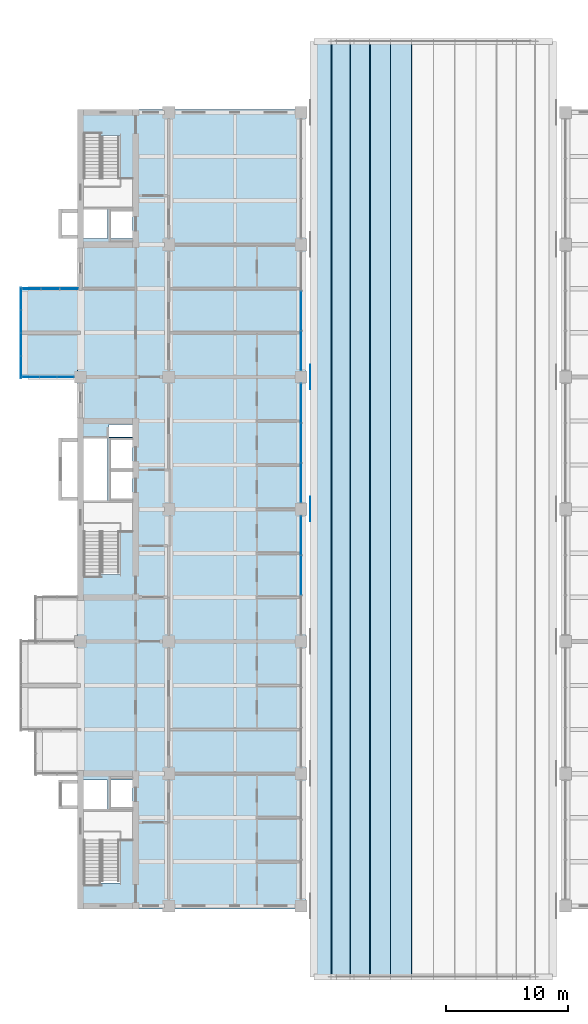
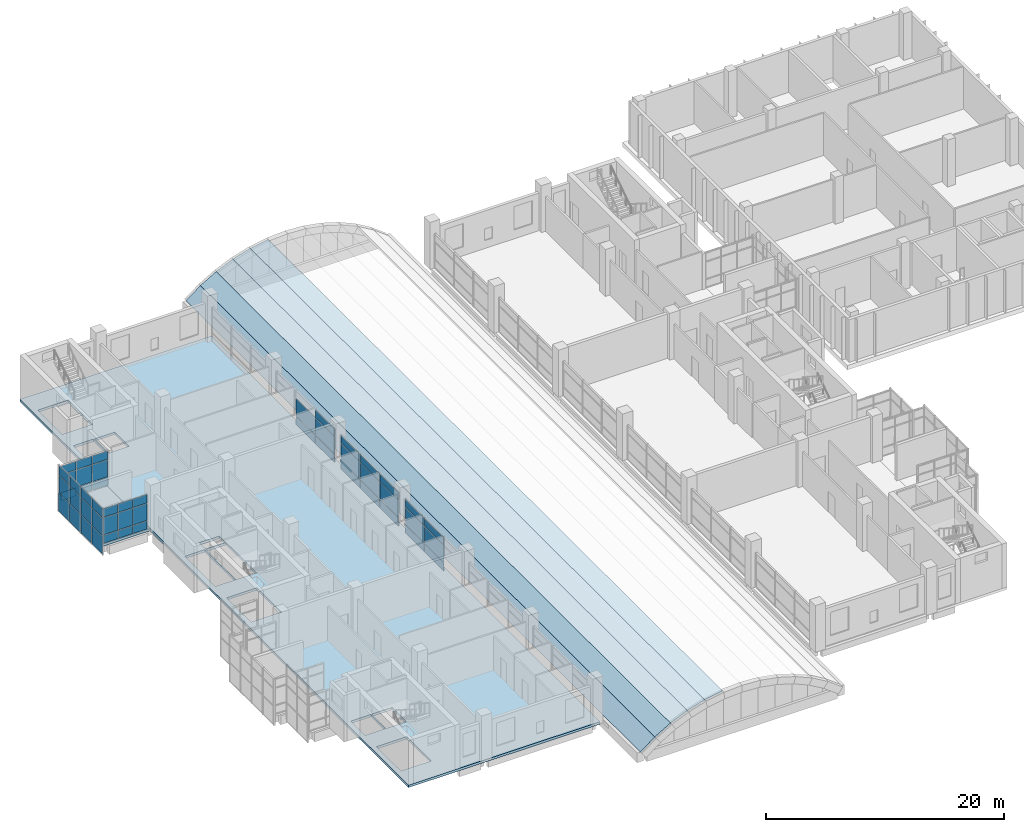
# One storey, part 26 of 45: 52 plates, 7 slabs, 6 elements without a shape of their own.
"""IFC4 building model written with IfcOpenShell, lengths in metres."""

from ifc_helpers import new_model, si_unit, direction, frame, origin, origin_2d, place, context, subcontext, project, spatial, polyline, rectangle, outline, extrude, material, layer, layer_set, type_object, element, aggregate, save


model = new_model("IFC4")

# Units and contexts
model_context = context("Model", 3, precision=1e-05, world=origin(), true_north=direction((0.0, 1.0)))
body_context = subcontext(model_context, "Body", "Model", "MODEL_VIEW")
ifc_project = project(units=[si_unit("LENGTHUNIT", "METRE"), si_unit("AREAUNIT", "SQUARE_METRE"), si_unit("VOLUMEUNIT", "CUBIC_METRE"), si_unit("PLANEANGLEUNIT", "RADIAN"), si_unit("MASSUNIT", "GRAM", prefix="KILO")], contexts=[model_context])

# Site, building, storey
site_placement = place(None, origin())
site = spatial("IfcSite", under=ifc_project, at=site_placement, CompositionType="ELEMENT")
building_placement = place(site_placement, origin())
building = spatial("IfcBuilding", under=site, at=building_placement, Name="Basin Gate Institute", CompositionType="ELEMENT")
storey_placement = place(building_placement, frame((0.0, 0.0, 22.199951171875)))
storey = spatial("IfcBuildingStorey", under=building, at=storey_placement, Name="L04", CompositionType="ELEMENT", Elevation=22.199951171875)

# Slabs
ifc_material_1 = material(Name="Concrete 40 MPa", Category="concrete")
ifc_layer_1 = layer(ifc_material_1, 0.14990234375)
ifc_layer_set_1 = layer_set([ifc_layer_1], Name="Concrete 40 MPa")
slab_type_1 = type_object("IfcSlabType", Name="Barrel shell strip SH1 R120", PredefinedType="ROOF", material=ifc_layer_set_1)
slab_1_placement = place(storey_placement, frame((80.25, 29.300048828125, 0.0), z_axis=(-0.604123513063, 0.0, 0.796890695745), x_axis=(0.796890695745, 0.0, 0.604123513063)))
element("IfcSlab", 1, at=slab_1_placement, inside=storey, type_object=slab_type_1, material=ifc_layer_set_1, Name="Atrium shell strip 1", PredefinedType="ROOF", context=body_context, shape_type="SweptSolid", body=[
    extrude(outline(polyline([(0.0, 0.0), (1.7680411559553462, 0.0), (1.7680411559553462, 76.39990234375), (0.0, 76.39990234375), (0.0, 0.0)])), origin(), (0.0, 0.0, -1.0), 0.14990234375),
])
slab_2_placement = place(storey_placement, frame((81.658935546875, 29.300048828125, 1.068115234375), z_axis=(-0.505715955593, 0.0, 0.862700047675), x_axis=(0.862700047675, 0.0, 0.505715955593)))
element("IfcSlab", 2, at=slab_2_placement, inside=storey, type_object=slab_type_1, material=ifc_layer_set_1, Name="Atrium shell strip 2", PredefinedType="ROOF", context=body_context, shape_type="SweptSolid", body=[
    extrude(outline(polyline([(0.0, 0.0), (1.767875739064467, 0.0), (1.767875739064467, 76.39990234375), (0.0, 76.39990234375), (0.0, 0.0)])), origin(), (0.0, 0.0, -1.0), 0.14990234375),
])
slab_3_placement = place(storey_placement, frame((83.18408203125, 29.300048828125, 1.962158203125), z_axis=(-0.401159401396, 0.0, 0.916008261246), x_axis=(0.916008261246, 0.0, 0.401159401396)))
element("IfcSlab", 3, at=slab_3_placement, inside=storey, type_object=slab_type_1, material=ifc_layer_set_1, Name="Atrium shell strip 3", PredefinedType="ROOF", context=body_context, shape_type="SweptSolid", body=[
    extrude(outline(polyline([(0.0, 0.0), (1.7673383012643265, 0.0), (1.7673383012643265, 76.39990234375001), (0.0, 76.39990234375001), (0.0, 0.0)])), origin(), (0.0, 0.0, -1.0), 0.14990234375),
])
slab_4_placement = place(storey_placement, frame((84.802978515625, 29.300048828125, 2.671142578125), z_axis=(-0.290601233715, 0.0, 0.956844252198), x_axis=(0.956844252198, 0.0, 0.290601233715)))
element("IfcSlab", 4, at=slab_4_placement, inside=storey, type_object=slab_type_1, material=ifc_layer_set_1, Name="Atrium shell strip 4", PredefinedType="ROOF", context=body_context, shape_type="SweptSolid", body=[
    extrude(outline(polyline([(0.0, 0.0), (1.768457790271163, 0.0), (1.768457790271163, 76.39990234375), (0.0, 76.39990234375), (0.0, 0.0)])), origin(), (0.0, 0.0, -1.0), 0.14990234375),
])
slab_5_placement = place(storey_placement, frame((86.4951171875, 29.300048828125, 3.18505859375), z_axis=(-0.175967513844, 0.0, 0.984395974226), x_axis=(0.984395974226, 0.0, 0.175967513844)))
element("IfcSlab", 5, at=slab_5_placement, inside=storey, type_object=slab_type_1, material=ifc_layer_set_1, Name="Atrium shell strip 5", PredefinedType="ROOF", context=body_context, shape_type="SweptSolid", body=[
    extrude(outline(polyline([(0.0, 0.0), (1.767571465073995, 0.0), (1.767571465073995, 76.39990234375), (0.0, 76.39990234375), (0.0, 0.0)])), origin(), (0.0, 0.0, -1.0), 0.14990234375),
])

# Plates
ifc_material_2 = material(Name="Stainless steel", Category="steel")
ifc_layer_2 = layer(ifc_material_2, 0.0029296875)
ifc_layer_set_2 = layer_set([ifc_layer_2], Name="Stainless steel")
plate_type_1 = type_object("IfcPlateType", Name="Shell joint cover JC1", PredefinedType="SHEET", material=ifc_layer_set_2)
for number, where, z_axis, x_axis, name in (
    (6, (79.948486328125, 67.5, -0.39990234375), (0.0, 0.0, 1.0), (1.0, 0.0, 0.0), "Atrium shell joint cover 4W"),
    (7, (79.948486328125, 78.300048828125, -0.39990234375), (0.0, 0.0, 1.0), (1.0, 0.0, 0.0), "Atrium shell joint cover 5W"),
):
    element("IfcPlate", number, at=place(storey_placement, frame(where, z_axis=z_axis, x_axis=x_axis)), inside=storey, type_object=plate_type_1, material=ifc_layer_set_2, Name=name, PredefinedType="SHEET", context=body_context, shape_type="SweptSolid", body=[
        extrude(rectangle(XDim=0.0029296875, YDim=2.0, at=origin_2d()), origin(), (0.0, 0.0, 1.0), 0.300048828125),
    ])

# Slabs
ifc_material_3 = material(Name="Concrete 40 MPa", Category="concrete")
ifc_layer_3 = layer(ifc_material_3, 0.25)
ifc_layer_set_3 = layer_set([ifc_layer_3], Name="Concrete 40 MPa")
slab_type_2 = type_object("IfcSlabType", Name="Slab SL4 R120", PredefinedType="FLOOR", material=ifc_layer_set_3)
slab_6_placement = place(storey_placement, frame((0.0, 0.0, -0.25)))
element("IfcSlab", 8, at=slab_6_placement, inside=storey, type_object=slab_type_2, material=ifc_layer_set_3, Name="SLAB/L04/W", PredefinedType="FLOOR", context=body_context, shape_type="SweptSolid", body=[
    extrude(outline(polyline([(60.949951171875, 34.85009765625), (79.550048828125, 34.85009765625), (79.550048828125, 100.14990234375), (60.949951171875, 100.14990234375), (60.949951171875, 34.85009765625)]), holes=[polyline([(61.449951171875, 36.969970703125), (64.39990234375, 36.969970703125), (64.39990234375, 41.070068359375), (61.449951171875, 41.070068359375), (61.449951171875, 36.969970703125)]), polyline([(61.449951171875, 62.169921875), (64.39990234375, 62.169921875), (64.39990234375, 66.27001953125), (61.449951171875, 66.27001953125), (61.449951171875, 62.169921875)]), polyline([(61.449951171875, 93.929931640625), (64.39990234375, 93.929931640625), (64.39990234375, 98.030029296875), (61.449951171875, 98.030029296875), (61.449951171875, 93.929931640625)]), polyline([(61.449951171875, 43.0), (63.39990234375, 43.0), (63.39990234375, 45.39990234375), (61.449951171875, 45.39990234375), (61.449951171875, 43.0)]), polyline([(61.449951171875, 68.199951171875), (63.39990234375, 68.199951171875), (63.39990234375, 73.300048828125), (61.449951171875, 73.300048828125), (61.449951171875, 68.199951171875)]), polyline([(63.5, 73.39990234375), (65.449951171875, 73.39990234375), (65.449951171875, 74.39990234375), (63.5, 74.39990234375), (63.5, 73.39990234375)]), polyline([(61.449951171875, 89.60009765625), (63.39990234375, 89.60009765625), (63.39990234375, 92.0), (61.449951171875, 92.0), (61.449951171875, 89.60009765625)]), polyline([(63.5, 43.0), (65.449951171875, 43.0), (65.449951171875, 45.39990234375), (63.5, 45.39990234375), (63.5, 43.0)]), polyline([(65.449951171875, 68.199951171875), (63.5, 68.199951171875), (63.5, 73.300048828125), (65.449951171875, 73.300048828125), (65.449951171875, 68.199951171875)]), polyline([(63.5, 89.60009765625), (65.449951171875, 89.60009765625), (65.449951171875, 92.0), (63.5, 92.0), (63.5, 89.60009765625)])]), origin(), (0.0, 0.0, 1.0), 0.25),
])
slab_7_placement = place(storey_placement, frame((0.0, 0.0, -0.25)))
element("IfcSlab", 9, at=slab_7_placement, inside=storey, type_object=slab_type_2, material=ifc_layer_set_3, Name="SLAB/L04/WK22", PredefinedType="FLOOR", context=body_context, shape_type="SweptSolid", body=[
    extrude(outline(polyline([(60.949951171875, 78.300048828125), (56.39990234375, 78.300048828125), (56.39990234375, 85.5), (60.949951171875, 85.5), (60.949951171875, 78.300048828125)])), origin(), (0.0, 0.0, 1.0), 0.25),
])

# Curtain wall, plates
ifc_material_4 = material(Name="Aluminium-framed glazing", Category="aluminium")
ifc_layer_4 = layer(ifc_material_4, 0.199951171875)
ifc_layer_set_4 = layer_set([ifc_layer_4], Name="Atrium curtain wall CW2")
curtain_wall_type_1 = type_object("IfcCurtainWallType", Name="Atrium curtain wall CW2", PredefinedType="NOTDEFINED", material=ifc_layer_set_4)
curtain_wall_1_placement = place(storey_placement, origin())
curtain_wall_1 = element("IfcCurtainWall", 10, at=curtain_wall_1_placement, inside=storey, type_object=curtain_wall_type_1, material=ifc_layer_set_4, Name="Atrium curtain wall W wing atrium bay 3 L04", PredefinedType="NOTDEFINED")
ifc_material_5 = material(Name="Aluminium insulated spandrel panel", Category="aluminium")
ifc_layer_5 = layer(ifc_material_5, 0.050048828125)
ifc_layer_set_5 = layer_set([ifc_layer_5], Name="Spandrel panel PN2")
plate_type_2 = type_object("IfcPlateType", Name="Spandrel panel PN2", PredefinedType="CURTAIN_PANEL", material=ifc_layer_set_5)
plate_1_placement = place(storey_placement, frame((79.199951171875, 62.10009765625, 0.06005859375), z_axis=(0.0, 0.0, 1.0), x_axis=(0.0, 1.0, 0.0)))
plate_1 = element("IfcPlate", 11, at=plate_1_placement, type_object=plate_type_2, material=ifc_layer_set_5, Name="CW2 spandrel panel 2.1", PredefinedType="CURTAIN_PANEL", context=body_context, shape_type="SweptSolid", body=[
    extrude(rectangle(XDim=3.206787109375, YDim=0.050048828125, at=origin_2d()), origin(), (0.0, 0.0, 1.0), 0.81005859375),
])
plate_2_placement = place(storey_placement, frame((79.199951171875, 62.10009765625, 2.72998046875), z_axis=(0.0, 0.0, 1.0), x_axis=(0.0, 1.0, 0.0)))
plate_2 = element("IfcPlate", 12, at=plate_2_placement, type_object=plate_type_2, material=ifc_layer_set_5, Name="CW2 spandrel panel 2.3", PredefinedType="CURTAIN_PANEL", context=body_context, shape_type="SweptSolid", body=[
    extrude(rectangle(XDim=3.206787109375, YDim=0.050048828125, at=origin_2d()), origin(), (0.0, 0.0, 1.0), 0.760009765625),
])
plate_3_placement = place(storey_placement, frame((79.199951171875, 65.3515625, 0.06005859375), z_axis=(0.0, 0.0, 1.0), x_axis=(0.0, 1.0, 0.0)))
plate_3 = element("IfcPlate", 13, at=plate_3_placement, type_object=plate_type_2, material=ifc_layer_set_5, Name="CW2 spandrel panel 3.1", PredefinedType="CURTAIN_PANEL", context=body_context, shape_type="SweptSolid", body=[
    extrude(rectangle(XDim=3.1767578125, YDim=0.050048828125, at=origin_2d()), origin(), (0.0, 0.0, 1.0), 0.81005859375),
])
plate_4_placement = place(storey_placement, frame((79.199951171875, 65.3515625, 2.72998046875), z_axis=(0.0, 0.0, 1.0), x_axis=(0.0, 1.0, 0.0)))
plate_4 = element("IfcPlate", 14, at=plate_4_placement, type_object=plate_type_2, material=ifc_layer_set_5, Name="CW2 spandrel panel 3.3", PredefinedType="CURTAIN_PANEL", context=body_context, shape_type="SweptSolid", body=[
    extrude(rectangle(XDim=3.1767578125, YDim=0.050048828125, at=origin_2d()), origin(), (0.0, 0.0, 1.0), 0.760009765625),
])

curtain_wall_2_placement = place(storey_placement, origin())
curtain_wall_2 = element("IfcCurtainWall", 15, at=curtain_wall_2_placement, inside=storey, type_object=curtain_wall_type_1, material=ifc_layer_set_4, Name="Atrium curtain wall W wing atrium bay 4 L04", PredefinedType="NOTDEFINED")
plate_5_placement = place(storey_placement, frame((79.199951171875, 69.6484375, 0.06005859375), z_axis=(0.0, 0.0, 1.0), x_axis=(0.0, 1.0, 0.0)))
plate_5 = element("IfcPlate", 16, at=plate_5_placement, type_object=plate_type_2, material=ifc_layer_set_5, Name="CW2 spandrel panel 1.1", PredefinedType="CURTAIN_PANEL", context=body_context, shape_type="SweptSolid", body=[
    extrude(rectangle(XDim=3.1767578125, YDim=0.050048828125, at=origin_2d()), origin(), (0.0, 0.0, 1.0), 0.81005859375),
])
plate_6_placement = place(storey_placement, frame((79.199951171875, 69.6484375, 2.72998046875), z_axis=(0.0, 0.0, 1.0), x_axis=(0.0, 1.0, 0.0)))
plate_6 = element("IfcPlate", 17, at=plate_6_placement, type_object=plate_type_2, material=ifc_layer_set_5, Name="CW2 spandrel panel 1.3", PredefinedType="CURTAIN_PANEL", context=body_context, shape_type="SweptSolid", body=[
    extrude(rectangle(XDim=3.1767578125, YDim=0.050048828125, at=origin_2d()), origin(), (0.0, 0.0, 1.0), 0.760009765625),
])
plate_7_placement = place(storey_placement, frame((79.199951171875, 72.89990234375, 0.06005859375), z_axis=(0.0, 0.0, 1.0), x_axis=(0.0, 1.0, 0.0)))
plate_7 = element("IfcPlate", 18, at=plate_7_placement, type_object=plate_type_2, material=ifc_layer_set_5, Name="CW2 spandrel panel 2.1", PredefinedType="CURTAIN_PANEL", context=body_context, shape_type="SweptSolid", body=[
    extrude(rectangle(XDim=3.206787109375, YDim=0.050048828125, at=origin_2d()), origin(), (0.0, 0.0, 1.0), 0.81005859375),
])
plate_8_placement = place(storey_placement, frame((79.199951171875, 72.89990234375, 2.72998046875), z_axis=(0.0, 0.0, 1.0), x_axis=(0.0, 1.0, 0.0)))
plate_8 = element("IfcPlate", 19, at=plate_8_placement, type_object=plate_type_2, material=ifc_layer_set_5, Name="CW2 spandrel panel 2.3", PredefinedType="CURTAIN_PANEL", context=body_context, shape_type="SweptSolid", body=[
    extrude(rectangle(XDim=3.206787109375, YDim=0.050048828125, at=origin_2d()), origin(), (0.0, 0.0, 1.0), 0.760009765625),
])
plate_9_placement = place(storey_placement, frame((79.199951171875, 76.151611328125, 0.06005859375), z_axis=(0.0, 0.0, 1.0), x_axis=(0.0, 1.0, 0.0)))
plate_9 = element("IfcPlate", 20, at=plate_9_placement, type_object=plate_type_2, material=ifc_layer_set_5, Name="CW2 spandrel panel 3.1", PredefinedType="CURTAIN_PANEL", context=body_context, shape_type="SweptSolid", body=[
    extrude(rectangle(XDim=3.1767578125, YDim=0.050048828125, at=origin_2d()), origin(), (0.0, 0.0, 1.0), 0.81005859375),
])
plate_10_placement = place(storey_placement, frame((79.199951171875, 76.151611328125, 2.72998046875), z_axis=(0.0, 0.0, 1.0), x_axis=(0.0, 1.0, 0.0)))
plate_10 = element("IfcPlate", 21, at=plate_10_placement, type_object=plate_type_2, material=ifc_layer_set_5, Name="CW2 spandrel panel 3.3", PredefinedType="CURTAIN_PANEL", context=body_context, shape_type="SweptSolid", body=[
    extrude(rectangle(XDim=3.1767578125, YDim=0.050048828125, at=origin_2d()), origin(), (0.0, 0.0, 1.0), 0.760009765625),
])

curtain_wall_3_placement = place(storey_placement, origin())
curtain_wall_3 = element("IfcCurtainWall", 22, at=curtain_wall_3_placement, inside=storey, type_object=curtain_wall_type_1, material=ifc_layer_set_4, Name="Atrium curtain wall W wing atrium bay 5 L04", PredefinedType="NOTDEFINED")
plate_11_placement = place(storey_placement, frame((79.199951171875, 80.4482421875, 0.06005859375), z_axis=(0.0, 0.0, 1.0), x_axis=(0.0, 1.0, 0.0)))
plate_11 = element("IfcPlate", 23, at=plate_11_placement, type_object=plate_type_2, material=ifc_layer_set_5, Name="CW2 spandrel panel 1.1", PredefinedType="CURTAIN_PANEL", context=body_context, shape_type="SweptSolid", body=[
    extrude(rectangle(XDim=3.1767578125, YDim=0.050048828125, at=origin_2d()), origin(), (0.0, 0.0, 1.0), 0.81005859375),
])
plate_12_placement = place(storey_placement, frame((79.199951171875, 80.4482421875, 2.72998046875), z_axis=(0.0, 0.0, 1.0), x_axis=(0.0, 1.0, 0.0)))
plate_12 = element("IfcPlate", 24, at=plate_12_placement, type_object=plate_type_2, material=ifc_layer_set_5, Name="CW2 spandrel panel 1.3", PredefinedType="CURTAIN_PANEL", context=body_context, shape_type="SweptSolid", body=[
    extrude(rectangle(XDim=3.1767578125, YDim=0.050048828125, at=origin_2d()), origin(), (0.0, 0.0, 1.0), 0.760009765625),
])
plate_13_placement = place(storey_placement, frame((79.199951171875, 83.699951171875, 0.06005859375), z_axis=(0.0, 0.0, 1.0), x_axis=(0.0, 1.0, 0.0)))
plate_13 = element("IfcPlate", 25, at=plate_13_placement, type_object=plate_type_2, material=ifc_layer_set_5, Name="CW2 spandrel panel 2.1", PredefinedType="CURTAIN_PANEL", context=body_context, shape_type="SweptSolid", body=[
    extrude(rectangle(XDim=3.206787109375, YDim=0.050048828125, at=origin_2d()), origin(), (0.0, 0.0, 1.0), 0.81005859375),
])

ifc_material_6 = material(Name="Aluminium-framed glazing", Category="aluminium")
ifc_layer_6 = layer(ifc_material_6, 0.14990234375)
ifc_layer_set_6 = layer_set([ifc_layer_6], Name="Capsule front curtain wall CW1")
curtain_wall_type_2 = type_object("IfcCurtainWallType", Name="Capsule front curtain wall CW1", PredefinedType="NOTDEFINED", material=ifc_layer_set_6)
curtain_wall_4_placement = place(storey_placement, origin())
curtain_wall_4 = element("IfcCurtainWall", 26, at=curtain_wall_4_placement, inside=storey, type_object=curtain_wall_type_2, material=ifc_layer_set_6, Name="Capsule front curtain wall W wing capsule end L04 line 13", PredefinedType="NOTDEFINED")
plate_14_placement = place(storey_placement, frame((57.129150390625, 78.300048828125, 0.06005859375), z_axis=(0.0, 0.0, 1.0), x_axis=(1.0, 0.0, 0.0)))
plate_14 = element("IfcPlate", 27, at=plate_14_placement, type_object=plate_type_2, material=ifc_layer_set_5, Name="CW1 spandrel panel 1.1", PredefinedType="CURTAIN_PANEL", context=body_context, shape_type="SweptSolid", body=[
    extrude(rectangle(XDim=1.3583984375, YDim=0.050048828125, at=origin_2d()), origin(), (0.0, 0.0, 1.0), 0.81005859375),
])
plate_15_placement = place(storey_placement, frame((58.550048828125, 78.300048828125, 0.06005859375), z_axis=(0.0, 0.0, 1.0), x_axis=(1.0, 0.0, 0.0)))
plate_15 = element("IfcPlate", 28, at=plate_15_placement, type_object=plate_type_2, material=ifc_layer_set_5, Name="CW1 spandrel panel 2.1", PredefinedType="CURTAIN_PANEL", context=body_context, shape_type="SweptSolid", body=[
    extrude(rectangle(XDim=1.38330078125, YDim=0.050048828125, at=origin_2d()), origin(), (0.0, 0.0, 1.0), 0.81005859375),
])
plate_16_placement = place(storey_placement, frame((59.970947265625, 78.300048828125, 0.06005859375), z_axis=(0.0, 0.0, 1.0), x_axis=(1.0, 0.0, 0.0)))
plate_16 = element("IfcPlate", 29, at=plate_16_placement, type_object=plate_type_2, material=ifc_layer_set_5, Name="CW1 spandrel panel 3.1", PredefinedType="CURTAIN_PANEL", context=body_context, shape_type="SweptSolid", body=[
    extrude(rectangle(XDim=1.3583984375, YDim=0.050048828125, at=origin_2d()), origin(), (0.0, 0.0, 1.0), 0.81005859375),
])

curtain_wall_5_placement = place(storey_placement, origin())
curtain_wall_5 = element("IfcCurtainWall", 30, at=curtain_wall_5_placement, inside=storey, type_object=curtain_wall_type_2, material=ifc_layer_set_6, Name="Capsule front curtain wall W wing capsule end L04 line 15", PredefinedType="NOTDEFINED")
plate_17_placement = place(storey_placement, frame((57.1875, 85.5, 0.06005859375), z_axis=(0.0, 0.0, 1.0), x_axis=(1.0, 0.0, 0.0)))
plate_17 = element("IfcPlate", 31, at=plate_17_placement, type_object=plate_type_2, material=ifc_layer_set_5, Name="CW1 spandrel panel 1.1", PredefinedType="CURTAIN_PANEL", context=body_context, shape_type="SweptSolid", body=[
    extrude(rectangle(XDim=1.47509765625, YDim=0.050048828125, at=origin_2d()), origin(), (0.0, 0.0, 1.0), 0.81005859375),
])
plate_18_placement = place(storey_placement, frame((58.72509765625, 85.5, 0.06005859375), z_axis=(0.0, 0.0, 1.0), x_axis=(1.0, 0.0, 0.0)))
plate_18 = element("IfcPlate", 32, at=plate_18_placement, type_object=plate_type_2, material=ifc_layer_set_5, Name="CW1 spandrel panel 2.1", PredefinedType="CURTAIN_PANEL", context=body_context, shape_type="SweptSolid", body=[
    extrude(rectangle(XDim=1.5, YDim=0.050048828125, at=origin_2d()), origin(), (0.0, 0.0, 1.0), 0.81005859375),
])
plate_19_placement = place(storey_placement, frame((60.262451171875, 85.5, 0.06005859375), z_axis=(0.0, 0.0, 1.0), x_axis=(1.0, 0.0, 0.0)))
plate_19 = element("IfcPlate", 33, at=plate_19_placement, type_object=plate_type_2, material=ifc_layer_set_5, Name="CW1 spandrel panel 3.1", PredefinedType="CURTAIN_PANEL", context=body_context, shape_type="SweptSolid", body=[
    extrude(rectangle(XDim=1.47509765625, YDim=0.050048828125, at=origin_2d()), origin(), (0.0, 0.0, 1.0), 0.81005859375),
])

curtain_wall_6_placement = place(storey_placement, origin())
curtain_wall_6 = element("IfcCurtainWall", 34, at=curtain_wall_6_placement, inside=storey, type_object=curtain_wall_type_2, material=ifc_layer_set_6, Name="Capsule front curtain wall W wing capsule 2 L04 front 2", PredefinedType="NOTDEFINED")
plate_20_placement = place(storey_placement, frame((56.324951171875, 79.10009765625, -0.990234375), z_axis=(0.0, 0.0, 1.0), x_axis=(0.0, 1.0, 0.0)))
plate_20 = element("IfcPlate", 35, at=plate_20_placement, type_object=plate_type_2, material=ifc_layer_set_5, Name="CW1 spandrel panel 1.1", PredefinedType="CURTAIN_PANEL", context=body_context, shape_type="SweptSolid", body=[
    extrude(rectangle(XDim=1.800048828125, YDim=0.050048828125, at=origin_2d()), origin(), (0.0, 0.0, 1.0), 1.860107421875),
])
plate_21_placement = place(storey_placement, frame((56.324951171875, 80.96240234375, -0.990234375), z_axis=(0.0, 0.0, 1.0), x_axis=(0.0, 1.0, 0.0)))
plate_21 = element("IfcPlate", 36, at=plate_21_placement, type_object=plate_type_2, material=ifc_layer_set_5, Name="CW1 spandrel panel 2.1", PredefinedType="CURTAIN_PANEL", context=body_context, shape_type="SweptSolid", body=[
    extrude(rectangle(XDim=1.824951171875, YDim=0.050048828125, at=origin_2d()), origin(), (0.0, 0.0, 1.0), 1.860107421875),
])
plate_22_placement = place(storey_placement, frame((56.324951171875, 82.83740234375, -0.990234375), z_axis=(0.0, 0.0, 1.0), x_axis=(0.0, 1.0, 0.0)))
plate_22 = element("IfcPlate", 37, at=plate_22_placement, type_object=plate_type_2, material=ifc_layer_set_5, Name="CW1 spandrel panel 3.1", PredefinedType="CURTAIN_PANEL", context=body_context, shape_type="SweptSolid", body=[
    extrude(rectangle(XDim=1.824951171875, YDim=0.050048828125, at=origin_2d()), origin(), (0.0, 0.0, 1.0), 1.860107421875),
])
plate_23_placement = place(storey_placement, frame((56.324951171875, 84.699951171875, -0.990234375), z_axis=(0.0, 0.0, 1.0), x_axis=(0.0, 1.0, 0.0)))
plate_23 = element("IfcPlate", 38, at=plate_23_placement, type_object=plate_type_2, material=ifc_layer_set_5, Name="CW1 spandrel panel 4.1", PredefinedType="CURTAIN_PANEL", context=body_context, shape_type="SweptSolid", body=[
    extrude(rectangle(XDim=1.800048828125, YDim=0.050048828125, at=origin_2d()), origin(), (0.0, 0.0, 1.0), 1.860107421875),
])

# Plate
ifc_material_7 = material(Name="Double glazed unit")
ifc_layer_7 = layer(ifc_material_7, 0.028076171875)
ifc_layer_set_7 = layer_set([ifc_layer_7], Name="Vision panel PN1")
plate_type_3 = type_object("IfcPlateType", Name="Vision panel PN1", PredefinedType="CURTAIN_PANEL", material=ifc_layer_set_7)
plate_24_placement = place(storey_placement, frame((79.199951171875, 62.10009765625, 0.93017578125), z_axis=(0.0, 0.0, 1.0), x_axis=(0.0, 1.0, 0.0)))
plate_24 = element("IfcPlate", 39, at=plate_24_placement, type_object=plate_type_3, material=ifc_layer_set_7, Name="CW2 vision panel 2.2", PredefinedType="CURTAIN_PANEL", context=body_context, shape_type="SweptSolid", body=[
    extrude(rectangle(XDim=3.206787109375, YDim=0.028076171875, at=origin_2d()), origin(), (0.0, 0.0, 1.0), 1.739990234375),
])

plate_25_placement = place(storey_placement, frame((79.199951171875, 65.3515625, 0.93017578125), z_axis=(0.0, 0.0, 1.0), x_axis=(0.0, 1.0, 0.0)))
plate_25 = element("IfcPlate", 40, at=plate_25_placement, type_object=plate_type_3, material=ifc_layer_set_7, Name="CW2 vision panel 3.2", PredefinedType="CURTAIN_PANEL", context=body_context, shape_type="SweptSolid", body=[
    extrude(rectangle(XDim=3.1767578125, YDim=0.028076171875, at=origin_2d()), origin(), (0.0, 0.0, 1.0), 1.739990234375),
])

aggregate(curtain_wall_1, [plate_1, plate_24, plate_2, plate_3, plate_25, plate_4])

plate_26_placement = place(storey_placement, frame((79.199951171875, 69.6484375, 0.93017578125), z_axis=(0.0, 0.0, 1.0), x_axis=(0.0, 1.0, 0.0)))
plate_26 = element("IfcPlate", 41, at=plate_26_placement, type_object=plate_type_3, material=ifc_layer_set_7, Name="CW2 vision panel 1.2", PredefinedType="CURTAIN_PANEL", context=body_context, shape_type="SweptSolid", body=[
    extrude(rectangle(XDim=3.1767578125, YDim=0.028076171875, at=origin_2d()), origin(), (0.0, 0.0, 1.0), 1.739990234375),
])

plate_27_placement = place(storey_placement, frame((79.199951171875, 72.89990234375, 0.93017578125), z_axis=(0.0, 0.0, 1.0), x_axis=(0.0, 1.0, 0.0)))
plate_27 = element("IfcPlate", 42, at=plate_27_placement, type_object=plate_type_3, material=ifc_layer_set_7, Name="CW2 vision panel 2.2", PredefinedType="CURTAIN_PANEL", context=body_context, shape_type="SweptSolid", body=[
    extrude(rectangle(XDim=3.206787109375, YDim=0.028076171875, at=origin_2d()), origin(), (0.0, 0.0, 1.0), 1.739990234375),
])

plate_28_placement = place(storey_placement, frame((79.199951171875, 76.151611328125, 0.93017578125), z_axis=(0.0, 0.0, 1.0), x_axis=(0.0, 1.0, 0.0)))
plate_28 = element("IfcPlate", 43, at=plate_28_placement, type_object=plate_type_3, material=ifc_layer_set_7, Name="CW2 vision panel 3.2", PredefinedType="CURTAIN_PANEL", context=body_context, shape_type="SweptSolid", body=[
    extrude(rectangle(XDim=3.1767578125, YDim=0.028076171875, at=origin_2d()), origin(), (0.0, 0.0, 1.0), 1.739990234375),
])

aggregate(curtain_wall_2, [plate_5, plate_26, plate_6, plate_7, plate_27, plate_8, plate_9, plate_28, plate_10])

plate_29_placement = place(storey_placement, frame((79.199951171875, 80.4482421875, 0.93017578125), z_axis=(0.0, 0.0, 1.0), x_axis=(0.0, 1.0, 0.0)))
plate_29 = element("IfcPlate", 44, at=plate_29_placement, type_object=plate_type_3, material=ifc_layer_set_7, Name="CW2 vision panel 1.2", PredefinedType="CURTAIN_PANEL", context=body_context, shape_type="SweptSolid", body=[
    extrude(rectangle(XDim=3.1767578125, YDim=0.028076171875, at=origin_2d()), origin(), (0.0, 0.0, 1.0), 1.739990234375),
])

plate_30_placement = place(storey_placement, frame((79.199951171875, 83.699951171875, 0.93017578125), z_axis=(0.0, 0.0, 1.0), x_axis=(0.0, 1.0, 0.0)))
plate_30 = element("IfcPlate", 45, at=plate_30_placement, type_object=plate_type_3, material=ifc_layer_set_7, Name="CW2 vision panel 2.2", PredefinedType="CURTAIN_PANEL", context=body_context, shape_type="SweptSolid", body=[
    extrude(rectangle(XDim=3.206787109375, YDim=0.028076171875, at=origin_2d()), origin(), (0.0, 0.0, 1.0), 1.739990234375),
])

aggregate(curtain_wall_3, [plate_11, plate_29, plate_12, plate_13, plate_30])

plate_31_placement = place(storey_placement, frame((57.129150390625, 78.300048828125, 0.93017578125), z_axis=(0.0, 0.0, 1.0), x_axis=(1.0, 0.0, 0.0)))
plate_31 = element("IfcPlate", 46, at=plate_31_placement, type_object=plate_type_3, material=ifc_layer_set_7, Name="CW1 vision panel 1.2", PredefinedType="CURTAIN_PANEL", context=body_context, shape_type="SweptSolid", body=[
    extrude(rectangle(XDim=1.3583984375, YDim=0.028076171875, at=origin_2d()), origin(), (0.0, 0.0, 1.0), 1.739990234375),
])

plate_32_placement = place(storey_placement, frame((57.129150390625, 78.300048828125, 2.72998046875), z_axis=(0.0, 0.0, 1.0), x_axis=(1.0, 0.0, 0.0)))
plate_32 = element("IfcPlate", 47, at=plate_32_placement, type_object=plate_type_3, material=ifc_layer_set_7, Name="CW1 vision panel 1.3", PredefinedType="CURTAIN_PANEL", context=body_context, shape_type="SweptSolid", body=[
    extrude(rectangle(XDim=1.3583984375, YDim=0.028076171875, at=origin_2d()), origin(), (0.0, 0.0, 1.0), 0.860107421875),
])

plate_33_placement = place(storey_placement, frame((58.550048828125, 78.300048828125, 0.93017578125), z_axis=(0.0, 0.0, 1.0), x_axis=(1.0, 0.0, 0.0)))
plate_33 = element("IfcPlate", 48, at=plate_33_placement, type_object=plate_type_3, material=ifc_layer_set_7, Name="CW1 vision panel 2.2", PredefinedType="CURTAIN_PANEL", context=body_context, shape_type="SweptSolid", body=[
    extrude(rectangle(XDim=1.38330078125, YDim=0.028076171875, at=origin_2d()), origin(), (0.0, 0.0, 1.0), 1.739990234375),
])

plate_34_placement = place(storey_placement, frame((58.550048828125, 78.300048828125, 2.72998046875), z_axis=(0.0, 0.0, 1.0), x_axis=(1.0, 0.0, 0.0)))
plate_34 = element("IfcPlate", 49, at=plate_34_placement, type_object=plate_type_3, material=ifc_layer_set_7, Name="CW1 vision panel 2.3", PredefinedType="CURTAIN_PANEL", context=body_context, shape_type="SweptSolid", body=[
    extrude(rectangle(XDim=1.38330078125, YDim=0.028076171875, at=origin_2d()), origin(), (0.0, 0.0, 1.0), 0.860107421875),
])

plate_35_placement = place(storey_placement, frame((59.970947265625, 78.300048828125, 0.93017578125), z_axis=(0.0, 0.0, 1.0), x_axis=(1.0, 0.0, 0.0)))
plate_35 = element("IfcPlate", 50, at=plate_35_placement, type_object=plate_type_3, material=ifc_layer_set_7, Name="CW1 vision panel 3.2", PredefinedType="CURTAIN_PANEL", context=body_context, shape_type="SweptSolid", body=[
    extrude(rectangle(XDim=1.3583984375, YDim=0.028076171875, at=origin_2d()), origin(), (0.0, 0.0, 1.0), 1.739990234375),
])

plate_36_placement = place(storey_placement, frame((59.970947265625, 78.300048828125, 2.72998046875), z_axis=(0.0, 0.0, 1.0), x_axis=(1.0, 0.0, 0.0)))
plate_36 = element("IfcPlate", 51, at=plate_36_placement, type_object=plate_type_3, material=ifc_layer_set_7, Name="CW1 vision panel 3.3", PredefinedType="CURTAIN_PANEL", context=body_context, shape_type="SweptSolid", body=[
    extrude(rectangle(XDim=1.3583984375, YDim=0.028076171875, at=origin_2d()), origin(), (0.0, 0.0, 1.0), 0.860107421875),
])

aggregate(curtain_wall_4, [plate_14, plate_31, plate_32, plate_15, plate_33, plate_34, plate_16, plate_35, plate_36])

plate_37_placement = place(storey_placement, frame((57.1875, 85.5, 0.93017578125), z_axis=(0.0, 0.0, 1.0), x_axis=(1.0, 0.0, 0.0)))
plate_37 = element("IfcPlate", 52, at=plate_37_placement, type_object=plate_type_3, material=ifc_layer_set_7, Name="CW1 vision panel 1.2", PredefinedType="CURTAIN_PANEL", context=body_context, shape_type="SweptSolid", body=[
    extrude(rectangle(XDim=1.47509765625, YDim=0.028076171875, at=origin_2d()), origin(), (0.0, 0.0, 1.0), 1.739990234375),
])

plate_38_placement = place(storey_placement, frame((57.1875, 85.5, 2.72998046875), z_axis=(0.0, 0.0, 1.0), x_axis=(1.0, 0.0, 0.0)))
plate_38 = element("IfcPlate", 53, at=plate_38_placement, type_object=plate_type_3, material=ifc_layer_set_7, Name="CW1 vision panel 1.3", PredefinedType="CURTAIN_PANEL", context=body_context, shape_type="SweptSolid", body=[
    extrude(rectangle(XDim=1.47509765625, YDim=0.028076171875, at=origin_2d()), origin(), (0.0, 0.0, 1.0), 0.860107421875),
])

plate_39_placement = place(storey_placement, frame((58.72509765625, 85.5, 0.93017578125), z_axis=(0.0, 0.0, 1.0), x_axis=(1.0, 0.0, 0.0)))
plate_39 = element("IfcPlate", 54, at=plate_39_placement, type_object=plate_type_3, material=ifc_layer_set_7, Name="CW1 vision panel 2.2", PredefinedType="CURTAIN_PANEL", context=body_context, shape_type="SweptSolid", body=[
    extrude(rectangle(XDim=1.5, YDim=0.028076171875, at=origin_2d()), origin(), (0.0, 0.0, 1.0), 1.739990234375),
])

plate_40_placement = place(storey_placement, frame((58.72509765625, 85.5, 2.72998046875), z_axis=(0.0, 0.0, 1.0), x_axis=(1.0, 0.0, 0.0)))
plate_40 = element("IfcPlate", 55, at=plate_40_placement, type_object=plate_type_3, material=ifc_layer_set_7, Name="CW1 vision panel 2.3", PredefinedType="CURTAIN_PANEL", context=body_context, shape_type="SweptSolid", body=[
    extrude(rectangle(XDim=1.5, YDim=0.028076171875, at=origin_2d()), origin(), (0.0, 0.0, 1.0), 0.860107421875),
])

plate_41_placement = place(storey_placement, frame((60.262451171875, 85.5, 0.93017578125), z_axis=(0.0, 0.0, 1.0), x_axis=(1.0, 0.0, 0.0)))
plate_41 = element("IfcPlate", 56, at=plate_41_placement, type_object=plate_type_3, material=ifc_layer_set_7, Name="CW1 vision panel 3.2", PredefinedType="CURTAIN_PANEL", context=body_context, shape_type="SweptSolid", body=[
    extrude(rectangle(XDim=1.47509765625, YDim=0.028076171875, at=origin_2d()), origin(), (0.0, 0.0, 1.0), 1.739990234375),
])

plate_42_placement = place(storey_placement, frame((60.262451171875, 85.5, 2.72998046875), z_axis=(0.0, 0.0, 1.0), x_axis=(1.0, 0.0, 0.0)))
plate_42 = element("IfcPlate", 57, at=plate_42_placement, type_object=plate_type_3, material=ifc_layer_set_7, Name="CW1 vision panel 3.3", PredefinedType="CURTAIN_PANEL", context=body_context, shape_type="SweptSolid", body=[
    extrude(rectangle(XDim=1.47509765625, YDim=0.028076171875, at=origin_2d()), origin(), (0.0, 0.0, 1.0), 0.860107421875),
])

aggregate(curtain_wall_5, [plate_17, plate_37, plate_38, plate_18, plate_39, plate_40, plate_19, plate_41, plate_42])

plate_43_placement = place(storey_placement, frame((56.324951171875, 79.10009765625, 0.93017578125), z_axis=(0.0, 0.0, 1.0), x_axis=(0.0, 1.0, 0.0)))
plate_43 = element("IfcPlate", 58, at=plate_43_placement, type_object=plate_type_3, material=ifc_layer_set_7, Name="CW1 vision panel 1.2", PredefinedType="CURTAIN_PANEL", context=body_context, shape_type="SweptSolid", body=[
    extrude(rectangle(XDim=1.800048828125, YDim=0.028076171875, at=origin_2d()), origin(), (0.0, 0.0, 1.0), 1.739990234375),
])

plate_44_placement = place(storey_placement, frame((56.324951171875, 79.10009765625, 2.72998046875), z_axis=(0.0, 0.0, 1.0), x_axis=(0.0, 1.0, 0.0)))
plate_44 = element("IfcPlate", 59, at=plate_44_placement, type_object=plate_type_3, material=ifc_layer_set_7, Name="CW1 vision panel 1.3", PredefinedType="CURTAIN_PANEL", context=body_context, shape_type="SweptSolid", body=[
    extrude(rectangle(XDim=1.800048828125, YDim=0.028076171875, at=origin_2d()), origin(), (0.0, 0.0, 1.0), 0.9599609375),
])

plate_45_placement = place(storey_placement, frame((56.324951171875, 80.96240234375, 0.93017578125), z_axis=(0.0, 0.0, 1.0), x_axis=(0.0, 1.0, 0.0)))
plate_45 = element("IfcPlate", 60, at=plate_45_placement, type_object=plate_type_3, material=ifc_layer_set_7, Name="CW1 vision panel 2.2", PredefinedType="CURTAIN_PANEL", context=body_context, shape_type="SweptSolid", body=[
    extrude(rectangle(XDim=1.824951171875, YDim=0.028076171875, at=origin_2d()), origin(), (0.0, 0.0, 1.0), 1.739990234375),
])

plate_46_placement = place(storey_placement, frame((56.324951171875, 80.96240234375, 2.72998046875), z_axis=(0.0, 0.0, 1.0), x_axis=(0.0, 1.0, 0.0)))
plate_46 = element("IfcPlate", 61, at=plate_46_placement, type_object=plate_type_3, material=ifc_layer_set_7, Name="CW1 vision panel 2.3", PredefinedType="CURTAIN_PANEL", context=body_context, shape_type="SweptSolid", body=[
    extrude(rectangle(XDim=1.824951171875, YDim=0.028076171875, at=origin_2d()), origin(), (0.0, 0.0, 1.0), 0.9599609375),
])

plate_47_placement = place(storey_placement, frame((56.324951171875, 82.83740234375, 0.93017578125), z_axis=(0.0, 0.0, 1.0), x_axis=(0.0, 1.0, 0.0)))
plate_47 = element("IfcPlate", 62, at=plate_47_placement, type_object=plate_type_3, material=ifc_layer_set_7, Name="CW1 vision panel 3.2", PredefinedType="CURTAIN_PANEL", context=body_context, shape_type="SweptSolid", body=[
    extrude(rectangle(XDim=1.824951171875, YDim=0.028076171875, at=origin_2d()), origin(), (0.0, 0.0, 1.0), 1.739990234375),
])

plate_48_placement = place(storey_placement, frame((56.324951171875, 82.83740234375, 2.72998046875), z_axis=(0.0, 0.0, 1.0), x_axis=(0.0, 1.0, 0.0)))
plate_48 = element("IfcPlate", 63, at=plate_48_placement, type_object=plate_type_3, material=ifc_layer_set_7, Name="CW1 vision panel 3.3", PredefinedType="CURTAIN_PANEL", context=body_context, shape_type="SweptSolid", body=[
    extrude(rectangle(XDim=1.824951171875, YDim=0.028076171875, at=origin_2d()), origin(), (0.0, 0.0, 1.0), 0.9599609375),
])

plate_49_placement = place(storey_placement, frame((56.324951171875, 84.699951171875, 0.93017578125), z_axis=(0.0, 0.0, 1.0), x_axis=(0.0, 1.0, 0.0)))
plate_49 = element("IfcPlate", 64, at=plate_49_placement, type_object=plate_type_3, material=ifc_layer_set_7, Name="CW1 vision panel 4.2", PredefinedType="CURTAIN_PANEL", context=body_context, shape_type="SweptSolid", body=[
    extrude(rectangle(XDim=1.800048828125, YDim=0.028076171875, at=origin_2d()), origin(), (0.0, 0.0, 1.0), 1.739990234375),
])

plate_50_placement = place(storey_placement, frame((56.324951171875, 84.699951171875, 2.72998046875), z_axis=(0.0, 0.0, 1.0), x_axis=(0.0, 1.0, 0.0)))
plate_50 = element("IfcPlate", 65, at=plate_50_placement, type_object=plate_type_3, material=ifc_layer_set_7, Name="CW1 vision panel 4.3", PredefinedType="CURTAIN_PANEL", context=body_context, shape_type="SweptSolid", body=[
    extrude(rectangle(XDim=1.800048828125, YDim=0.028076171875, at=origin_2d()), origin(), (0.0, 0.0, 1.0), 0.9599609375),
])

aggregate(curtain_wall_6, [plate_20, plate_43, plate_44, plate_21, plate_45, plate_46, plate_22, plate_47, plate_48, plate_23, plate_49, plate_50])

save(model, "model.ifc")
